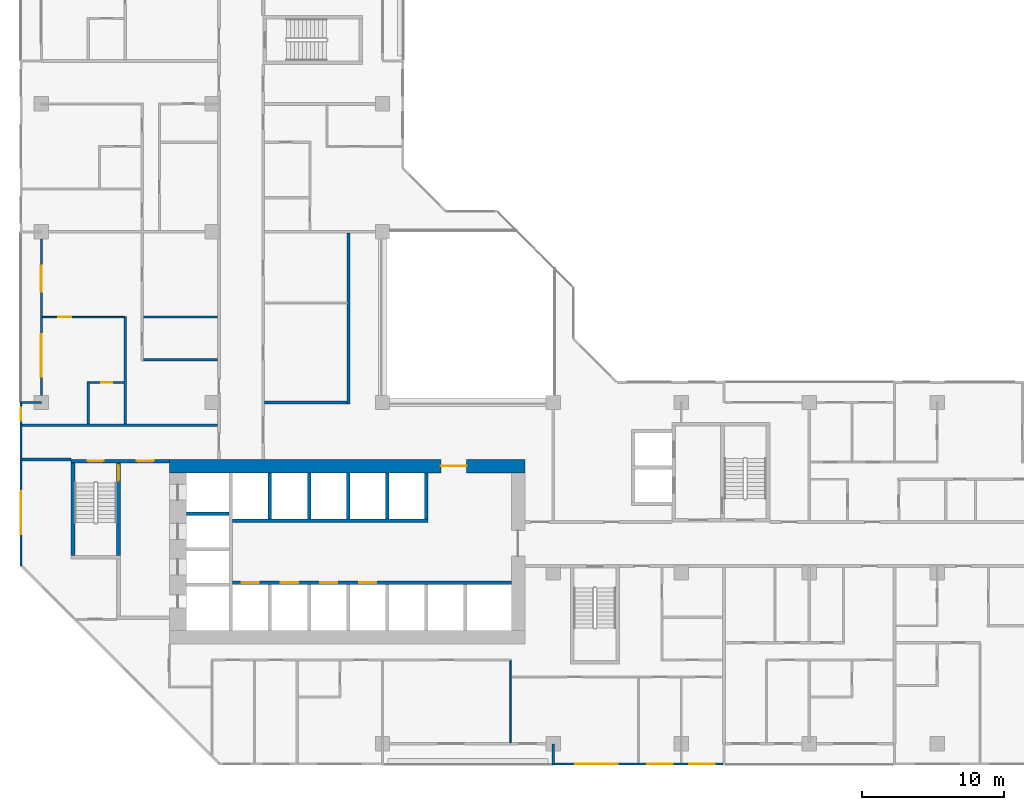
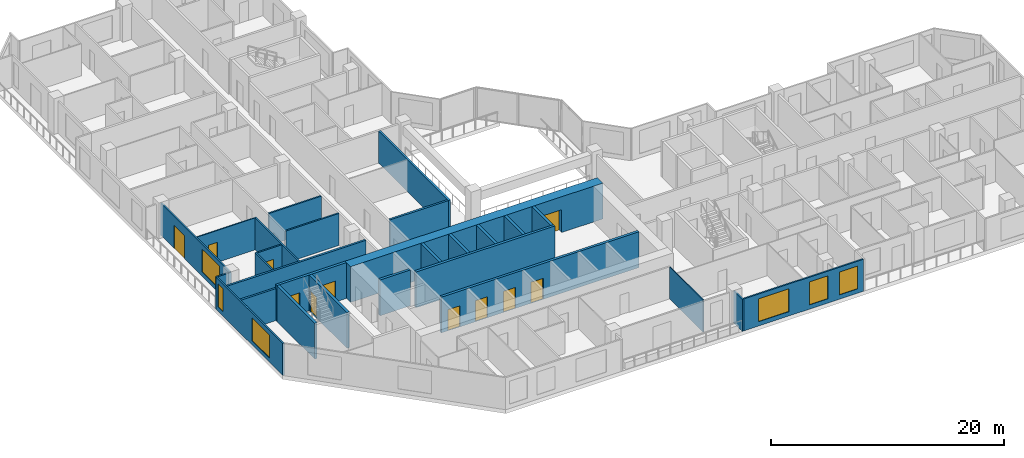
# One storey, part 5 of 14: 28 walls, 11 doors, 6 windows, 17 openings.
"""IFC4 building model written with IfcOpenShell, lengths in metres."""

from ifc_helpers import new_model, si_unit, direction, frame, frame_2d, origin, place, context, subcontext, project, spatial, rectangle, extrude, material, layer, layer_set, type_object, element, fill, save


model = new_model("IFC4")

# Units and contexts
model_context = context("Model", 3, precision=1e-05, world=origin(), true_north=direction((0.0, 1.0)))
body_context = subcontext(model_context, "Body", "Model", "MODEL_VIEW")
ifc_project = project(units=[si_unit("LENGTHUNIT", "METRE"), si_unit("AREAUNIT", "SQUARE_METRE"), si_unit("VOLUMEUNIT", "CUBIC_METRE"), si_unit("PLANEANGLEUNIT", "RADIAN"), si_unit("MASSUNIT", "GRAM", prefix="KILO")], contexts=[model_context])

# Site, building, storey
site_placement = place(None, origin())
site = spatial("IfcSite", under=ifc_project, at=site_placement, CompositionType="ELEMENT")
building_placement = place(site_placement, origin())
building = spatial("IfcBuilding", under=site, at=building_placement, Name="Chenar Terraces", CompositionType="ELEMENT")
storey_placement = place(building_placement, frame((0.0, 0.0, 110.64990234375)))
storey = spatial("IfcBuildingStorey", under=building, at=storey_placement, Name="L25", CompositionType="ELEMENT", Elevation=110.64990234375)

# Wall, openings, doors
ifc_material_1 = material(Name="Concrete C70/85", Category="concrete")
ifc_layer_1 = layer(ifc_material_1, 0.25)
ifc_layer_set_1 = layer_set([ifc_layer_1], Name="Concrete C70/85")
wall_type_1 = type_object("IfcWallType", Name="Core wall 250 Concrete C70/85", PredefinedType="SHEAR", material=ifc_layer_set_1)
wall_1_placement = place(storey_placement, frame((13.449951171875, 11.324951171875, 0.0), z_axis=(0.0, 0.0, 1.0), x_axis=(1.0, 0.0, 0.0)))
wall_1 = element("IfcWall", 1, at=wall_1_placement, inside=storey, type_object=wall_type_1, Name="Core wall SF L25", PredefinedType="SHEAR", context=body_context, shape_type="SweptSolid", body=[
    extrude(rectangle(XDim=19.60009765625, YDim=0.25, at=frame_2d((9.800048828125, 0.0))), origin(), (0.0, 0.0, 1.0), 3.75),
])
opening_1_placement = place(wall_1_placement, frame((0.64990234375, 0.0, 0.0)))
opening_1 = element("IfcOpeningElement", 2, at=opening_1_placement, cuts=wall_1, Name="Opening DL25-LD1", PredefinedType="OPENING", context=body_context, shape_type="SweptSolid", body=[
    extrude(rectangle(XDim=1.199951171875, YDim=2.199951171875, at=frame_2d((0.60009765625, 1.10009765625))), frame((0.0, 0.135009765625, 0.0), z_axis=(0.0, -1.0, 0.0), x_axis=(1.0, 0.0, 0.0)), (0.0, 0.0, 1.0), 0.27001953125),
])
opening_2_placement = place(wall_1_placement, frame((3.39990234375, 0.0, 0.0)))
opening_2 = element("IfcOpeningElement", 3, at=opening_2_placement, cuts=wall_1, Name="Opening DL25-LD2", PredefinedType="OPENING", context=body_context, shape_type="SweptSolid", body=[
    extrude(rectangle(XDim=1.199951171875, YDim=2.199951171875, at=frame_2d((0.60009765625, 1.10009765625))), frame((0.0, 0.135009765625, 0.0), z_axis=(0.0, -1.0, 0.0), x_axis=(1.0, 0.0, 0.0)), (0.0, 0.0, 1.0), 0.27001953125),
])
opening_3_placement = place(wall_1_placement, frame((6.14990234375, 0.0, 0.0)))
opening_3 = element("IfcOpeningElement", 4, at=opening_3_placement, cuts=wall_1, Name="Opening DL25-LD3", PredefinedType="OPENING", context=body_context, shape_type="SweptSolid", body=[
    extrude(rectangle(XDim=1.199951171875, YDim=2.199951171875, at=frame_2d((0.60009765625, 1.10009765625))), frame((0.0, 0.135009765625, 0.0), z_axis=(0.0, -1.0, 0.0), x_axis=(1.0, 0.0, 0.0)), (0.0, 0.0, 1.0), 0.27001953125),
])
opening_4_placement = place(wall_1_placement, frame((8.89990234375, 0.0, 0.0)))
opening_4 = element("IfcOpeningElement", 5, at=opening_4_placement, cuts=wall_1, Name="Opening DL25-LD4", PredefinedType="OPENING", context=body_context, shape_type="SweptSolid", body=[
    extrude(rectangle(XDim=1.199951171875, YDim=2.199951171875, at=frame_2d((0.60009765625, 1.10009765625))), frame((0.0, 0.135009765625, 0.0), z_axis=(0.0, -1.0, 0.0), x_axis=(1.0, 0.0, 0.0)), (0.0, 0.0, 1.0), 0.27001953125),
])
ifc_material_2 = material(Name="Stainless steel", Category="steel")
door_type_1 = type_object("IfcDoorType", Name="Lift landing door 1200 x 2200 sliding", OperationType="DOUBLE_DOOR_SLIDING", PredefinedType="DOOR", material=ifc_material_2)
door_1_placement = place(opening_1_placement, origin())
door_1 = element("IfcDoor", 6, at=door_1_placement, inside=storey, type_object=door_type_1, Name="Landing door L1", OperationType="DOUBLE_DOOR_SLIDING", OverallHeight=2.199951171875, OverallWidth=1.199951171875, PredefinedType="DOOR", context=body_context, shape_type="SweptSolid", body=[
    extrude(rectangle(XDim=1.199951171875, YDim=2.199951171875, at=frame_2d((0.60009765625, 1.10009765625))), frame((0.0, 0.02490234375, 0.0), z_axis=(0.0, -1.0, 0.0), x_axis=(1.0, 0.0, 0.0)), (0.0, 0.0, 1.0), 0.050048828125),
])
fill(opening_1, door_1)
door_2_placement = place(opening_2_placement, origin())
door_2 = element("IfcDoor", 7, at=door_2_placement, inside=storey, type_object=door_type_1, Name="Landing door L2", OperationType="DOUBLE_DOOR_SLIDING", OverallHeight=2.199951171875, OverallWidth=1.199951171875, PredefinedType="DOOR", context=body_context, shape_type="SweptSolid", body=[
    extrude(rectangle(XDim=1.199951171875, YDim=2.199951171875, at=frame_2d((0.60009765625, 1.10009765625))), frame((0.0, 0.02490234375, 0.0), z_axis=(0.0, -1.0, 0.0), x_axis=(1.0, 0.0, 0.0)), (0.0, 0.0, 1.0), 0.050048828125),
])
fill(opening_2, door_2)
door_3_placement = place(opening_3_placement, origin())
door_3 = element("IfcDoor", 8, at=door_3_placement, inside=storey, type_object=door_type_1, Name="Landing door L3", OperationType="DOUBLE_DOOR_SLIDING", OverallHeight=2.199951171875, OverallWidth=1.199951171875, PredefinedType="DOOR", context=body_context, shape_type="SweptSolid", body=[
    extrude(rectangle(XDim=1.199951171875, YDim=2.199951171875, at=frame_2d((0.60009765625, 1.10009765625))), frame((0.0, 0.02490234375, 0.0), z_axis=(0.0, -1.0, 0.0), x_axis=(1.0, 0.0, 0.0)), (0.0, 0.0, 1.0), 0.050048828125),
])
fill(opening_3, door_3)
door_4_placement = place(opening_4_placement, origin())
door_4 = element("IfcDoor", 9, at=door_4_placement, inside=storey, type_object=door_type_1, Name="Landing door L4", OperationType="DOUBLE_DOOR_SLIDING", OverallHeight=2.199951171875, OverallWidth=1.199951171875, PredefinedType="DOOR", context=body_context, shape_type="SweptSolid", body=[
    extrude(rectangle(XDim=1.199951171875, YDim=2.199951171875, at=frame_2d((0.60009765625, 1.10009765625))), frame((0.0, 0.02490234375, 0.0), z_axis=(0.0, -1.0, 0.0), x_axis=(1.0, 0.0, 0.0)), (0.0, 0.0, 1.0), 0.050048828125),
])
fill(opening_4, door_4)

# Walls
wall_2_placement = place(storey_placement, frame((13.449951171875, 15.675048828125, 0.0), z_axis=(0.0, 0.0, 1.0), x_axis=(1.0, 0.0, 0.0)))
element("IfcWall", 10, at=wall_2_placement, inside=storey, type_object=wall_type_1, Name="Core wall NF L25", PredefinedType="SHEAR", context=body_context, shape_type="SweptSolid", body=[
    extrude(rectangle(XDim=13.75, YDim=0.25, at=frame_2d((6.875, 0.0))), origin(), (0.0, 0.0, 1.0), 3.75),
])
wall_3_placement = place(storey_placement, frame((10.199951171875, 16.175048828125, 0.0), z_axis=(0.0, 0.0, 1.0), x_axis=(1.0, 0.0, 0.0)))
element("IfcWall", 11, at=wall_3_placement, inside=storey, type_object=wall_type_1, Name="Core wall HW2 L25", PredefinedType="SHEAR", context=body_context, shape_type="SweptSolid", body=[
    extrude(rectangle(XDim=3.0, YDim=0.25, at=frame_2d((1.5, 0.0))), origin(), (0.0, 0.0, 1.0), 3.75),
])
for number, where, z_axis, x_axis, name in (
    (12, (16.074951171875, 15.800048828125, 0.0), (0.0, 0.0, 1.0), (0.0, 1.0, 0.0), "Core wall NS0 L25"),
    (13, (18.824951171875, 15.800048828125, 0.0), (0.0, 0.0, 1.0), (0.0, 1.0, 0.0), "Core wall NS1 L25"),
    (14, (21.574951171875, 15.800048828125, 0.0), (0.0, 0.0, 1.0), (0.0, 1.0, 0.0), "Core wall NS2 L25"),
    (15, (24.324951171875, 15.800048828125, 0.0), (0.0, 0.0, 1.0), (0.0, 1.0, 0.0), "Core wall NS3 L25"),
    (16, (27.074951171875, 15.800048828125, 0.0), (0.0, 0.0, 1.0), (0.0, 1.0, 0.0), "Core wall NE L25"),
):
    element("IfcWall", number, at=place(storey_placement, frame(where, z_axis=z_axis, x_axis=x_axis)), inside=storey, type_object=wall_type_1, Name=name, PredefinedType="SHEAR", context=body_context, shape_type="SweptSolid", body=[
        extrude(rectangle(XDim=3.25, YDim=0.25, at=frame_2d((1.625, 0.0))), origin(), (0.0, 0.0, 1.0), 3.75),
    ])

# Wall, openings, doors
wall_4_placement = place(storey_placement, frame((2.10009765625, 19.875, 0.0), z_axis=(0.0, 0.0, 1.0), x_axis=(1.0, 0.0, 0.0)))
wall_4 = element("IfcWall", 17, at=wall_4_placement, inside=storey, type_object=wall_type_1, Name="Core wall A_N L25", PredefinedType="SHEAR", context=body_context, shape_type="SweptSolid", body=[
    extrude(rectangle(XDim=6.89990234375, YDim=0.25, at=frame_2d((3.449951171875, 0.0))), origin(), (0.0, 0.0, 1.0), 3.75),
])
opening_5_placement = place(wall_4_placement, frame((1.175048828125, 0.0, 0.0)))
opening_5 = element("IfcOpeningElement", 18, at=opening_5_placement, cuts=wall_4, Name="Opening DL25-C5", PredefinedType="OPENING", context=body_context, shape_type="SweptSolid", body=[
    extrude(rectangle(XDim=1.10009765625, YDim=2.199951171875, at=frame_2d((0.550048828125, 1.10009765625))), frame((0.0, 0.135009765625, 0.0), z_axis=(0.0, -1.0, 0.0), x_axis=(1.0, 0.0, 0.0)), (0.0, 0.0, 1.0), 0.27001953125),
])
opening_6_placement = place(wall_4_placement, frame((4.60009765625, 0.0, 0.0)))
opening_6 = element("IfcOpeningElement", 19, at=opening_6_placement, cuts=wall_4, Name="Opening DL25-C6", PredefinedType="OPENING", context=body_context, shape_type="SweptSolid", body=[
    extrude(rectangle(XDim=1.199951171875, YDim=2.199951171875, at=frame_2d((0.60009765625, 1.10009765625))), frame((0.0, 0.135009765625, 0.0), z_axis=(0.0, -1.0, 0.0), x_axis=(1.0, 0.0, 0.0)), (0.0, 0.0, 1.0), 0.27001953125),
])
ifc_material_3 = material(Name="Steel-framed fire-resisting door leaf", Category="steel")
door_type_2 = type_object("IfcDoorType", Name="Lobby fire door FD60 1200 x 2200", OperationType="SINGLE_SWING_LEFT", PredefinedType="DOOR", material=ifc_material_3)
door_5_placement = place(opening_6_placement, frame((1.199951171875, 0.0, 0.0), z_axis=(0.0, 0.0, 1.0), x_axis=(-1.0, 0.0, 0.0)))
door_5 = element("IfcDoor", 20, at=door_5_placement, inside=storey, type_object=door_type_2, Name="Core door DL25-C6", OperationType="SINGLE_SWING_LEFT", OverallHeight=2.199951171875, OverallWidth=1.199951171875, PredefinedType="DOOR", context=body_context, shape_type="SweptSolid", body=[
    extrude(rectangle(XDim=1.199951171875, YDim=2.199951171875, at=frame_2d((0.60009765625, 1.10009765625))), frame((0.0, 0.02490234375, 0.0), z_axis=(0.0, -1.0, 0.0), x_axis=(1.0, 0.0, 0.0)), (0.0, 0.0, 1.0), 0.050048828125),
])
fill(opening_6, door_5)
ifc_material_4 = material(Name="Steel-framed fire-resisting door leaf", Category="steel")
door_type_3 = type_object("IfcDoorType", Name="Stair fire door FD60 1100 x 2200", OperationType="SINGLE_SWING_LEFT", PredefinedType="DOOR", material=ifc_material_4)
door_6_placement = place(opening_5_placement, origin())
door_6 = element("IfcDoor", 21, at=door_6_placement, inside=storey, type_object=door_type_3, Name="Stair door DL25-C5", OperationType="SINGLE_SWING_LEFT", OverallHeight=2.199951171875, OverallWidth=1.10009765625, PredefinedType="DOOR", context=body_context, shape_type="SweptSolid", body=[
    extrude(rectangle(XDim=1.10009765625, YDim=2.199951171875, at=frame_2d((0.550048828125, 1.10009765625))), frame((0.0, 0.02490234375, 0.0), z_axis=(0.0, -1.0, 0.0), x_axis=(1.0, 0.0, 0.0)), (0.0, 0.0, 1.0), 0.050048828125),
])
fill(opening_5, door_6)

# Wall
wall_5_placement = place(storey_placement, frame((2.22509765625, 13.25, 0.0), z_axis=(0.0, 0.0, 1.0), x_axis=(0.0, 1.0, 0.0)))
element("IfcWall", 22, at=wall_5_placement, inside=storey, type_object=wall_type_1, Name="Core wall ST1_W L25", PredefinedType="SHEAR", context=body_context, shape_type="SweptSolid", body=[
    extrude(rectangle(XDim=6.5, YDim=0.25, at=frame_2d((3.25, 0.0))), origin(), (0.0, 0.0, 1.0), 3.75),
])

# Wall, opening, door
wall_6_placement = place(storey_placement, frame((5.425048828125, 13.25, 0.0), z_axis=(0.0, 0.0, 1.0), x_axis=(0.0, 1.0, 0.0)))
wall_6 = element("IfcWall", 23, at=wall_6_placement, inside=storey, type_object=wall_type_1, Name="Core wall ST1_E L25", PredefinedType="SHEAR", context=body_context, shape_type="SweptSolid", body=[
    extrude(rectangle(XDim=6.5, YDim=0.25, at=frame_2d((3.25, 0.0))), origin(), (0.0, 0.0, 1.0), 3.75),
])
opening_7_placement = place(wall_6_placement, frame((5.25, 0.0, 0.0)))
opening_7 = element("IfcOpeningElement", 24, at=opening_7_placement, cuts=wall_6, Name="Opening DL25-C3", PredefinedType="OPENING", context=body_context, shape_type="SweptSolid", body=[
    extrude(rectangle(XDim=1.10009765625, YDim=2.199951171875, at=frame_2d((0.550048828125, 1.10009765625))), frame((0.0, 0.135009765625, 0.0), z_axis=(0.0, -1.0, 0.0), x_axis=(1.0, 0.0, 0.0)), (0.0, 0.0, 1.0), 0.27001953125),
])
door_7_placement = place(opening_7_placement, origin())
door_7 = element("IfcDoor", 25, at=door_7_placement, inside=storey, type_object=door_type_3, Name="Stair door DL25-C3", OperationType="SINGLE_SWING_RIGHT", OverallHeight=2.199951171875, OverallWidth=1.10009765625, PredefinedType="DOOR", context=body_context, shape_type="SweptSolid", body=[
    extrude(rectangle(XDim=1.10009765625, YDim=2.199951171875, at=frame_2d((0.550048828125, 1.10009765625))), frame((0.0, 0.02490234375, 0.0), z_axis=(0.0, -1.0, 0.0), x_axis=(1.0, 0.0, 0.0)), (0.0, 0.0, 1.0), 0.050048828125),
])
fill(opening_7, door_7)

ifc_material_5 = material(Name="Concrete C70/85", Category="concrete")
ifc_layer_2 = layer(ifc_material_5, 0.949951171875)
ifc_layer_set_2 = layer_set([ifc_layer_2], Name="Concrete C70/85")
wall_type_2 = type_object("IfcWallType", Name="Core wall 950 Concrete C70/85", PredefinedType="SHEAR", material=ifc_layer_set_2)
wall_7_placement = place(storey_placement, frame((9.0, 19.52490234375, 0.0), z_axis=(0.0, 0.0, 1.0), x_axis=(1.0, 0.0, 0.0)))
wall_7 = element("IfcWall", 26, at=wall_7_placement, inside=storey, type_object=wall_type_2, Name="Core wall N L25", PredefinedType="SHEAR", context=body_context, shape_type="SweptSolid", body=[
    extrude(rectangle(XDim=25.0, YDim=0.949951171875, at=frame_2d((12.5, 0.0))), origin(), (0.0, 0.0, 1.0), 3.75),
])
opening_8_placement = place(wall_7_placement, frame((19.10009765625, 0.0, 0.0)))
opening_8 = element("IfcOpeningElement", 27, at=opening_8_placement, cuts=wall_7, Name="Opening DL25-C2", PredefinedType="OPENING", context=body_context, shape_type="SweptSolid", body=[
    extrude(rectangle(XDim=1.800048828125, YDim=2.39990234375, at=frame_2d((0.89990234375, 1.199951171875))), frame((0.0, 0.48486328125, 0.0), z_axis=(0.0, -1.0, 0.0), x_axis=(1.0, 0.0, 0.0)), (0.0, 0.0, 1.0), 0.969970703125),
])
ifc_material_6 = material(Name="Steel-framed fire-resisting door leaf", Category="steel")
door_type_4 = type_object("IfcDoorType", Name="Core entrance double fire door FD60 1800 x 2400", OperationType="DOUBLE_DOOR_SINGLE_SWING", PredefinedType="DOOR", material=ifc_material_6)
door_8_placement = place(opening_8_placement, frame((1.800048828125, 0.0, 0.0), z_axis=(0.0, 0.0, 1.0), x_axis=(-1.0, 0.0, 0.0)))
door_8 = element("IfcDoor", 28, at=door_8_placement, inside=storey, type_object=door_type_4, Name="Core door DL25-C2", OperationType="DOUBLE_DOOR_SINGLE_SWING", OverallHeight=2.39990234375, OverallWidth=1.800048828125, PredefinedType="DOOR", context=body_context, shape_type="SweptSolid", body=[
    extrude(rectangle(XDim=1.800048828125, YDim=2.39990234375, at=frame_2d((0.89990234375, 1.199951171875))), frame((0.0, 0.02490234375, 0.0), z_axis=(0.0, -1.0, 0.0), x_axis=(1.0, 0.0, 0.0)), (0.0, 0.0, 1.0), 0.050048828125),
])
fill(opening_8, door_8)

# Walls
ifc_material_7 = material(Name="Gypsum board on steel studs with fire boards", Category="steel")
ifc_layer_3 = layer(ifc_material_7, 0.199951171875)
ifc_layer_set_3 = layer_set([ifc_layer_3], Name="Gypsum board on steel studs with fire boards")
wall_type_3 = type_object("IfcWallType", Name="Corridor wall 200", PredefinedType="PARTITIONING", material=ifc_layer_set_3)
wall_8_placement = place(storey_placement, frame((-1.35009765625, 20.0, 0.0), z_axis=(0.0, 0.0, 1.0), x_axis=(1.0, 0.0, 0.0)))
element("IfcWall", 29, at=wall_8_placement, inside=storey, type_object=wall_type_3, Name="Partition L25-002", PredefinedType="PARTITIONING", context=body_context, shape_type="SweptSolid", body=[
    extrude(rectangle(XDim=3.4501953125, YDim=0.199951171875, at=frame_2d((1.72509765625, 0.0))), origin(), (0.0, 0.0, 1.0), 3.35009765625),
])
wall_9_placement = place(storey_placement, frame((-1.35009765625, 22.39990234375, 0.0), z_axis=(0.0, 0.0, 1.0), x_axis=(1.0, 0.0, 0.0)))
element("IfcWall", 30, at=wall_9_placement, inside=storey, type_object=wall_type_3, Name="Partition L25-003", PredefinedType="PARTITIONING", context=body_context, shape_type="SweptSolid", body=[
    extrude(rectangle(XDim=13.75, YDim=0.199951171875, at=frame_2d((6.875, 0.0))), origin(), (0.0, 0.0, 1.0), 3.35009765625),
])
wall_10_placement = place(storey_placement, frame((15.699951171875, 24.0, 0.0), z_axis=(0.0, 0.0, 1.0), x_axis=(1.0, 0.0, 0.0)))
element("IfcWall", 31, at=wall_10_placement, inside=storey, type_object=wall_type_3, Name="Partition L25-038", PredefinedType="PARTITIONING", context=body_context, shape_type="SweptSolid", body=[
    extrude(rectangle(XDim=5.800048828125, YDim=0.199951171875, at=frame_2d((2.89990234375, 0.0))), origin(), (0.0, 0.0, 1.0), 3.35009765625),
])
wall_11_placement = place(storey_placement, frame((21.60009765625, 23.89990234375, 0.0), z_axis=(0.0, 0.0, 1.0), x_axis=(0.0, 1.0, 0.0)))
element("IfcWall", 32, at=wall_11_placement, inside=storey, type_object=wall_type_3, Name="Partition L25-057", PredefinedType="PARTITIONING", context=body_context, shape_type="SweptSolid", body=[
    extrude(rectangle(XDim=12.0, YDim=0.199951171875, at=frame_2d((6.0, 0.0))), origin(), (0.0, 0.0, 1.0), 3.35009765625),
])

# Wall, openings, windows
ifc_material_8 = material(Name="Aluminium framed glazing", Category="aluminium")
ifc_layer_4 = layer(ifc_material_8, 0.14990234375)
ifc_layer_set_4 = layer_set([ifc_layer_4], Name="Aluminium framed glazing")
wall_type_4 = type_object("IfcWallType", Name="Glazed flush facade wall 150", PredefinedType="SOLIDWALL", material=ifc_layer_set_4)
wall_12_placement = place(storey_placement, frame((-1.425048828125, 23.925048828125, 0.0), z_axis=(0.0, 0.0, 1.0), x_axis=(0.0, -1.0, 0.0)))
wall_12 = element("IfcWall", 33, at=wall_12_placement, inside=storey, type_object=wall_type_4, Name="Glazed flush facade wall", PredefinedType="SOLIDWALL", context=body_context, shape_type="SweptSolid", body=[
    extrude(rectangle(XDim=11.425048828125, YDim=0.14990234375, at=frame_2d((5.71240234375, 0.0))), origin(), (0.0, 0.0, 1.0), 3.35009765625),
])
opening_9_placement = place(wall_12_placement, frame((0.3125, 0.0, 0.449951171875)))
opening_9 = element("IfcOpeningElement", 34, at=opening_9_placement, cuts=wall_12, Name="Opening W90x240", PredefinedType="OPENING", context=body_context, shape_type="SweptSolid", body=[
    extrude(rectangle(XDim=0.89990234375, YDim=2.39990234375, at=frame_2d((0.449951171875, 1.199951171875))), frame((0.0, 0.0849609375, 0.0), z_axis=(0.0, -1.0, 0.0), x_axis=(1.0, 0.0, 0.0)), (0.0, 0.0, 1.0), 0.169921875),
])
opening_10_placement = place(wall_12_placement, frame((6.175048828125, 0.0, 0.449951171875)))
opening_10 = element("IfcOpeningElement", 35, at=opening_10_placement, cuts=wall_12, Name="Opening W300x240", PredefinedType="OPENING", context=body_context, shape_type="SweptSolid", body=[
    extrude(rectangle(XDim=3.0, YDim=2.39990234375, at=frame_2d((1.5, 1.199951171875))), frame((0.0, 0.0849609375, 0.0), z_axis=(0.0, -1.0, 0.0), x_axis=(1.0, 0.0, 0.0)), (0.0, 0.0, 1.0), 0.169921875),
])
ifc_material_9 = material(Name="Low emissivity double glazing, aluminium frame", Category="aluminium")
window_type_1 = type_object("IfcWindowType", Name="Fixed light 3000 x 2400", PartitioningType="SINGLE_PANEL", PredefinedType="WINDOW", material=ifc_material_9)
window_1_placement = place(opening_10_placement, origin())
window_1 = element("IfcWindow", 36, at=window_1_placement, inside=storey, type_object=window_type_1, Name="Window", OverallHeight=2.39990234375, OverallWidth=3.0, PartitioningType="SINGLE_PANEL", PredefinedType="WINDOW", context=body_context, shape_type="SweptSolid", body=[
    extrude(rectangle(XDim=3.0, YDim=2.39990234375, at=frame_2d((1.5, 1.199951171875))), frame((0.0, 0.030029296875, 0.0), z_axis=(0.0, -1.0, 0.0), x_axis=(1.0, 0.0, 0.0)), (0.0, 0.0, 1.0), 0.06005859375),
])
fill(opening_10, window_1)
ifc_material_10 = material(Name="Low emissivity double glazing, aluminium frame", Category="aluminium")
window_type_2 = type_object("IfcWindowType", Name="Fixed light 900 x 2400", PartitioningType="SINGLE_PANEL", PredefinedType="WINDOW", material=ifc_material_10)
window_2_placement = place(opening_9_placement, origin())
window_2 = element("IfcWindow", 37, at=window_2_placement, inside=storey, type_object=window_type_2, Name="Window", OverallHeight=2.39990234375, OverallWidth=0.89990234375, PartitioningType="SINGLE_PANEL", PredefinedType="WINDOW", context=body_context, shape_type="SweptSolid", body=[
    extrude(rectangle(XDim=0.89990234375, YDim=2.39990234375, at=frame_2d((0.449951171875, 1.199951171875))), frame((0.0, 0.030029296875, 0.0), z_axis=(0.0, -1.0, 0.0), x_axis=(1.0, 0.0, 0.0)), (0.0, 0.0, 1.0), 0.06005859375),
])
fill(opening_9, window_2)

wall_13_placement = place(storey_placement, frame((36.074951171875, -1.425048828125, 0.0), z_axis=(0.0, 0.0, 1.0), x_axis=(1.0, 0.0, 0.0)))
wall_13 = element("IfcWall", 38, at=wall_13_placement, inside=storey, type_object=wall_type_4, Name="Glazed flush facade wall", PredefinedType="SOLIDWALL", context=body_context, shape_type="SweptSolid", body=[
    extrude(rectangle(XDim=11.85009765625, YDim=0.14990234375, at=frame_2d((5.925048828125, 0.0))), origin(), (0.0, 0.0, 1.0), 3.35009765625),
])
opening_11_placement = place(wall_13_placement, frame((1.46240234375, 0.0, 0.449951171875)))
opening_11 = element("IfcOpeningElement", 39, at=opening_11_placement, cuts=wall_13, Name="Opening W300x240", PredefinedType="OPENING", context=body_context, shape_type="SweptSolid", body=[
    extrude(rectangle(XDim=3.0, YDim=2.39990234375, at=frame_2d((1.5, 1.199951171875))), frame((0.0, 0.0849609375, 0.0), z_axis=(0.0, -1.0, 0.0), x_axis=(1.0, 0.0, 0.0)), (0.0, 0.0, 1.0), 0.169921875),
])
opening_12_placement = place(wall_13_placement, frame((6.52490234375, 0.0, 0.449951171875)))
opening_12 = element("IfcOpeningElement", 40, at=opening_12_placement, cuts=wall_13, Name="Opening W180x240", PredefinedType="OPENING", context=body_context, shape_type="SweptSolid", body=[
    extrude(rectangle(XDim=1.800048828125, YDim=2.39990234375, at=frame_2d((0.89990234375, 1.199951171875))), frame((0.0, 0.0849609375, 0.0), z_axis=(0.0, -1.0, 0.0), x_axis=(1.0, 0.0, 0.0)), (0.0, 0.0, 1.0), 0.169921875),
])
opening_13_placement = place(wall_13_placement, frame((9.487548828125, 0.0, 0.449951171875)))
opening_13 = element("IfcOpeningElement", 41, at=opening_13_placement, cuts=wall_13, Name="Opening W180x240", PredefinedType="OPENING", context=body_context, shape_type="SweptSolid", body=[
    extrude(rectangle(XDim=1.800048828125, YDim=2.39990234375, at=frame_2d((0.89990234375, 1.199951171875))), frame((0.0, 0.0849609375, 0.0), z_axis=(0.0, -1.0, 0.0), x_axis=(1.0, 0.0, 0.0)), (0.0, 0.0, 1.0), 0.169921875),
])
ifc_material_11 = material(Name="Low emissivity double glazing, aluminium frame", Category="aluminium")
window_type_3 = type_object("IfcWindowType", Name="Fixed light 1800 x 2400", PartitioningType="SINGLE_PANEL", PredefinedType="WINDOW", material=ifc_material_11)
window_3_placement = place(opening_12_placement, origin())
window_3 = element("IfcWindow", 42, at=window_3_placement, inside=storey, type_object=window_type_3, Name="Window", OverallHeight=2.39990234375, OverallWidth=1.800048828125, PartitioningType="SINGLE_PANEL", PredefinedType="WINDOW", context=body_context, shape_type="SweptSolid", body=[
    extrude(rectangle(XDim=1.800048828125, YDim=2.39990234375, at=frame_2d((0.89990234375, 1.199951171875))), frame((0.0, 0.030029296875, 0.0), z_axis=(0.0, -1.0, 0.0), x_axis=(1.0, 0.0, 0.0)), (0.0, 0.0, 1.0), 0.06005859375),
])
fill(opening_12, window_3)
window_4_placement = place(opening_13_placement, origin())
window_4 = element("IfcWindow", 43, at=window_4_placement, inside=storey, type_object=window_type_3, Name="Window", OverallHeight=2.39990234375, OverallWidth=1.800048828125, PartitioningType="SINGLE_PANEL", PredefinedType="WINDOW", context=body_context, shape_type="SweptSolid", body=[
    extrude(rectangle(XDim=1.800048828125, YDim=2.39990234375, at=frame_2d((0.89990234375, 1.199951171875))), frame((0.0, 0.030029296875, 0.0), z_axis=(0.0, -1.0, 0.0), x_axis=(1.0, 0.0, 0.0)), (0.0, 0.0, 1.0), 0.06005859375),
])
fill(opening_13, window_4)
window_5_placement = place(opening_11_placement, origin())
window_5 = element("IfcWindow", 44, at=window_5_placement, inside=storey, type_object=window_type_1, Name="Window", OverallHeight=2.39990234375, OverallWidth=3.0, PartitioningType="SINGLE_PANEL", PredefinedType="WINDOW", context=body_context, shape_type="SweptSolid", body=[
    extrude(rectangle(XDim=3.0, YDim=2.39990234375, at=frame_2d((1.5, 1.199951171875))), frame((0.0, 0.030029296875, 0.0), z_axis=(0.0, -1.0, 0.0), x_axis=(1.0, 0.0, 0.0)), (0.0, 0.0, 1.0), 0.06005859375),
])
fill(opening_11, window_5)

# Wall, openings, window, door
ifc_material_12 = material(Name="Aluminium framed glazing", Category="aluminium")
ifc_layer_5 = layer(ifc_material_12, 0.14990234375)
ifc_layer_set_5 = layer_set([ifc_layer_5], Name="Aluminium framed glazing")
wall_type_5 = type_object("IfcWallType", Name="Glazed loggia back wall 150", PredefinedType="SOLIDWALL", material=ifc_layer_set_5)
wall_14_placement = place(storey_placement, frame((0.0, 35.925048828125, 0.0), z_axis=(0.0, 0.0, 1.0), x_axis=(0.0, -1.0, 0.0)))
wall_14 = element("IfcWall", 45, at=wall_14_placement, inside=storey, type_object=wall_type_5, Name="Glazed loggia back wall", PredefinedType="SOLIDWALL", context=body_context, shape_type="SweptSolid", body=[
    extrude(rectangle(XDim=11.85009765625, YDim=0.14990234375, at=frame_2d((5.925048828125, 0.0))), origin(), (0.0, 0.0, 1.0), 3.35009765625),
])
opening_14_placement = place(wall_14_placement, frame((2.324951171875, 0.0, 0.0)))
opening_14 = element("IfcOpeningElement", 46, at=opening_14_placement, cuts=wall_14, Name="Opening DL25-G5", PredefinedType="OPENING", context=body_context, shape_type="SweptSolid", body=[
    extrude(rectangle(XDim=1.800048828125, YDim=2.39990234375, at=frame_2d((0.89990234375, 1.199951171875))), frame((0.0, 0.0849609375, 0.0), z_axis=(0.0, -1.0, 0.0), x_axis=(1.0, 0.0, 0.0)), (0.0, 0.0, 1.0), 0.169921875),
])
opening_15_placement = place(wall_14_placement, frame((7.125, 0.0, 0.449951171875)))
opening_15 = element("IfcOpeningElement", 47, at=opening_15_placement, cuts=wall_14, Name="Opening W300x240", PredefinedType="OPENING", context=body_context, shape_type="SweptSolid", body=[
    extrude(rectangle(XDim=3.0, YDim=2.39990234375, at=frame_2d((1.5, 1.199951171875))), frame((0.0, 0.0849609375, 0.0), z_axis=(0.0, -1.0, 0.0), x_axis=(1.0, 0.0, 0.0)), (0.0, 0.0, 1.0), 0.169921875),
])
window_6_placement = place(opening_15_placement, origin())
window_6 = element("IfcWindow", 48, at=window_6_placement, inside=storey, type_object=window_type_1, Name="Window", OverallHeight=2.39990234375, OverallWidth=3.0, PartitioningType="SINGLE_PANEL", PredefinedType="WINDOW", context=body_context, shape_type="SweptSolid", body=[
    extrude(rectangle(XDim=3.0, YDim=2.39990234375, at=frame_2d((1.5, 1.199951171875))), frame((0.0, 0.030029296875, 0.0), z_axis=(0.0, -1.0, 0.0), x_axis=(1.0, 0.0, 0.0)), (0.0, 0.0, 1.0), 0.06005859375),
])
fill(opening_15, window_6)
ifc_material_13 = material(Name="Low emissivity double glazing, aluminium frame", Category="aluminium")
door_type_5 = type_object("IfcDoorType", Name="Loggia glazed double door 1800 x 2400", OperationType="DOUBLE_DOOR_SINGLE_SWING", PredefinedType="DOOR", material=ifc_material_13)
door_9_placement = place(opening_14_placement, frame((1.800048828125, 0.0, 0.0), z_axis=(0.0, 0.0, 1.0), x_axis=(-1.0, 0.0, 0.0)))
door_9 = element("IfcDoor", 49, at=door_9_placement, inside=storey, type_object=door_type_5, Name="Loggia glazed door", OperationType="DOUBLE_DOOR_SINGLE_SWING", OverallHeight=2.39990234375, OverallWidth=1.800048828125, PredefinedType="DOOR", context=body_context, shape_type="SweptSolid", body=[
    extrude(rectangle(XDim=1.800048828125, YDim=2.39990234375, at=frame_2d((0.89990234375, 1.199951171875))), frame((0.0, 0.02490234375, 0.0), z_axis=(0.0, -1.0, 0.0), x_axis=(1.0, 0.0, 0.0)), (0.0, 0.0, 1.0), 0.050048828125),
])
fill(opening_14, door_9)

# Wall, opening, door
ifc_material_14 = material(Name="Gypsum board on steel studs", Category="steel")
ifc_layer_6 = layer(ifc_material_14, 0.10009765625)
ifc_layer_set_6 = layer_set([ifc_layer_6], Name="Gypsum board on steel studs")
wall_type_6 = type_object("IfcWallType", Name="Gypsum partition 100", PredefinedType="PARTITIONING", material=ifc_layer_set_6)
wall_15_placement = place(storey_placement, frame((0.073974609375, 30.0, 0.0), z_axis=(0.0, 0.0, 1.0), x_axis=(1.0, 0.0, 0.0)))
wall_15 = element("IfcWall", 50, at=wall_15_placement, inside=storey, type_object=wall_type_6, Name="Partition L25-007", PredefinedType="PARTITIONING", context=body_context, shape_type="SweptSolid", body=[
    extrude(rectangle(XDim=5.7509765625, YDim=0.10009765625, at=frame_2d((2.87548828125, 0.0))), origin(), (0.0, 0.0, 1.0), 3.35009765625),
])
opening_16_placement = place(wall_15_placement, frame((1.1259765625, 0.0, 0.0)))
opening_16 = element("IfcOpeningElement", 51, at=opening_16_placement, cuts=wall_15, Name="Opening DL25-65", PredefinedType="OPENING", context=body_context, shape_type="SweptSolid", body=[
    extrude(rectangle(XDim=0.89990234375, YDim=2.10009765625, at=frame_2d((0.449951171875, 1.050048828125))), frame((0.0, 0.06005859375, 0.0), z_axis=(0.0, -1.0, 0.0), x_axis=(1.0, 0.0, 0.0)), (0.0, 0.0, 1.0), 0.1201171875),
])
ifc_material_15 = material(Name="Veneered timber door leaf", Category="wood")
door_type_6 = type_object("IfcDoorType", Name="Door 900 x 2100", OperationType="SINGLE_SWING_LEFT", PredefinedType="DOOR", material=ifc_material_15)
door_10_placement = place(opening_16_placement, frame((0.89990234375, 0.0, 0.0), z_axis=(0.0, 0.0, 1.0), x_axis=(-1.0, 0.0, 0.0)))
door_10 = element("IfcDoor", 52, at=door_10_placement, inside=storey, type_object=door_type_6, Name="Door DL25-65", OperationType="SINGLE_SWING_RIGHT", OverallHeight=2.10009765625, OverallWidth=0.89990234375, PredefinedType="DOOR", context=body_context, shape_type="SweptSolid", body=[
    extrude(rectangle(XDim=0.89990234375, YDim=2.10009765625, at=frame_2d((0.449951171875, 1.050048828125))), frame((0.0, 0.02490234375, 0.0), z_axis=(0.0, -1.0, 0.0), x_axis=(1.0, 0.0, 0.0)), (0.0, 0.0, 1.0), 0.050048828125),
])
fill(opening_16, door_10)

# Walls
wall_16_placement = place(storey_placement, frame((33.0, 0.073974609375, 0.0), z_axis=(0.0, 0.0, 1.0), x_axis=(0.0, 1.0, 0.0)))
element("IfcWall", 53, at=wall_16_placement, inside=storey, type_object=wall_type_6, Name="Partition L25-059", PredefinedType="PARTITIONING", context=body_context, shape_type="SweptSolid", body=[
    extrude(rectangle(XDim=5.7509765625, YDim=0.10009765625, at=frame_2d((2.87548828125, 0.0))), origin(), (0.0, 0.0, 1.0), 3.35009765625),
])
ifc_material_16 = material(Name="Terracotta cladding on insulated backing", Category="masonry")
ifc_layer_7 = layer(ifc_material_16, 0.14990234375)
ifc_layer_set_7 = layer_set([ifc_layer_7], Name="Terracotta cladding on insulated backing")
wall_type_7 = type_object("IfcWallType", Name="Loggia return wall 150", PredefinedType="SOLIDWALL", material=ifc_layer_set_7)
for number, where, z_axis, x_axis, name in (
    (54, (-1.5, 24.0, 0.0), (0.0, 0.0, 1.0), (1.0, 0.0, 0.0), "Loggia return wall"),
    (55, (36.0, -1.5, 0.0), (0.0, 0.0, 1.0), (0.0, 1.0, 0.0), "Loggia return wall"),
):
    element("IfcWall", number, at=place(storey_placement, frame(where, z_axis=z_axis, x_axis=x_axis)), inside=storey, type_object=wall_type_7, Name=name, PredefinedType="SOLIDWALL", context=body_context, shape_type="SweptSolid", body=[
        extrude(rectangle(XDim=1.5, YDim=0.14990234375, at=frame_2d((0.75, 0.0))), origin(), (0.0, 0.0, 1.0), 3.35009765625),
    ])
ifc_material_17 = material(Name="Moisture-resistant gypsum board on steel studs", Category="steel")
ifc_layer_8 = layer(ifc_material_17, 0.14990234375)
ifc_layer_set_8 = layer_set([ifc_layer_8], Name="Moisture-resistant gypsum board on steel studs")
wall_type_8 = type_object("IfcWallType", Name="Wet-room partition 150", PredefinedType="PARTITIONING", material=ifc_layer_set_8)
wall_17_placement = place(storey_placement, frame((3.300048828125, 22.5, 0.0), z_axis=(0.0, 0.0, 1.0), x_axis=(0.0, 1.0, 0.0)))
element("IfcWall", 56, at=wall_17_placement, inside=storey, type_object=wall_type_8, Name="Partition L25-011", PredefinedType="PARTITIONING", context=body_context, shape_type="SweptSolid", body=[
    extrude(rectangle(XDim=2.97509765625, YDim=0.14990234375, at=frame_2d((1.487548828125, 0.0))), origin(), (0.0, 0.0, 1.0), 3.35009765625),
])

# Wall, opening, door
wall_18_placement = place(storey_placement, frame((3.375, 25.39990234375, 0.0), z_axis=(0.0, 0.0, 1.0), x_axis=(1.0, 0.0, 0.0)))
wall_18 = element("IfcWall", 57, at=wall_18_placement, inside=storey, type_object=wall_type_8, Name="Partition L25-013", PredefinedType="PARTITIONING", context=body_context, shape_type="SweptSolid", body=[
    extrude(rectangle(XDim=2.449951171875, YDim=0.14990234375, at=frame_2d((1.22509765625, 0.0))), origin(), (0.0, 0.0, 1.0), 3.35009765625),
])
opening_17_placement = place(wall_18_placement, frame((0.824951171875, 0.0, 0.0)))
opening_17 = element("IfcOpeningElement", 58, at=opening_17_placement, cuts=wall_18, Name="Opening DL25-66", PredefinedType="OPENING", context=body_context, shape_type="SweptSolid", body=[
    extrude(rectangle(XDim=0.800048828125, YDim=2.10009765625, at=frame_2d((0.39990234375, 1.050048828125))), frame((0.0, 0.0849609375, 0.0), z_axis=(0.0, -1.0, 0.0), x_axis=(1.0, 0.0, 0.0)), (0.0, 0.0, 1.0), 0.169921875),
])
ifc_material_18 = material(Name="Veneered timber door leaf", Category="wood")
door_type_7 = type_object("IfcDoorType", Name="Door 800 x 2100", OperationType="SINGLE_SWING_LEFT", PredefinedType="DOOR", material=ifc_material_18)
door_11_placement = place(opening_17_placement, frame((0.800048828125, 0.0, 0.0), z_axis=(0.0, 0.0, 1.0), x_axis=(-1.0, 0.0, 0.0)))
door_11 = element("IfcDoor", 59, at=door_11_placement, inside=storey, type_object=door_type_7, Name="Door DL25-66", OperationType="SINGLE_SWING_LEFT", OverallHeight=2.10009765625, OverallWidth=0.800048828125, PredefinedType="DOOR", context=body_context, shape_type="SweptSolid", body=[
    extrude(rectangle(XDim=0.800048828125, YDim=2.10009765625, at=frame_2d((0.39990234375, 1.050048828125))), frame((0.0, 0.02490234375, 0.0), z_axis=(0.0, -1.0, 0.0), x_axis=(1.0, 0.0, 0.0)), (0.0, 0.0, 1.0), 0.050048828125),
])
fill(opening_17, door_11)

# Walls
wall_19_placement = place(storey_placement, frame((5.89990234375, 22.5, 0.0), z_axis=(0.0, 0.0, 1.0), x_axis=(0.0, 1.0, 0.0)))
element("IfcWall", 60, at=wall_19_placement, inside=storey, type_object=wall_type_8, Name="Partition L25-017", PredefinedType="PARTITIONING", context=body_context, shape_type="SweptSolid", body=[
    extrude(rectangle(XDim=7.550048828125, YDim=0.14990234375, at=frame_2d((3.77490234375, 0.0))), origin(), (0.0, 0.0, 1.0), 3.35009765625),
])
for number, where, z_axis, x_axis, name in (
    (61, (7.175048828125, 27.0, 0.0), (0.0, 0.0, 1.0), (1.0, 0.0, 0.0), "Partition L25-023"),
    (62, (7.175048828125, 30.0, 0.0), (0.0, 0.0, 1.0), (1.0, 0.0, 0.0), "Partition L25-024"),
):
    element("IfcWall", number, at=place(storey_placement, frame(where, z_axis=z_axis, x_axis=x_axis)), inside=storey, type_object=wall_type_8, Name=name, PredefinedType="PARTITIONING", context=body_context, shape_type="SweptSolid", body=[
        extrude(rectangle(XDim=5.224853515625, YDim=0.14990234375, at=frame_2d((2.6123046875, 0.0))), origin(), (0.0, 0.0, 1.0), 3.35009765625),
    ])

save(model, "model.ifc")
